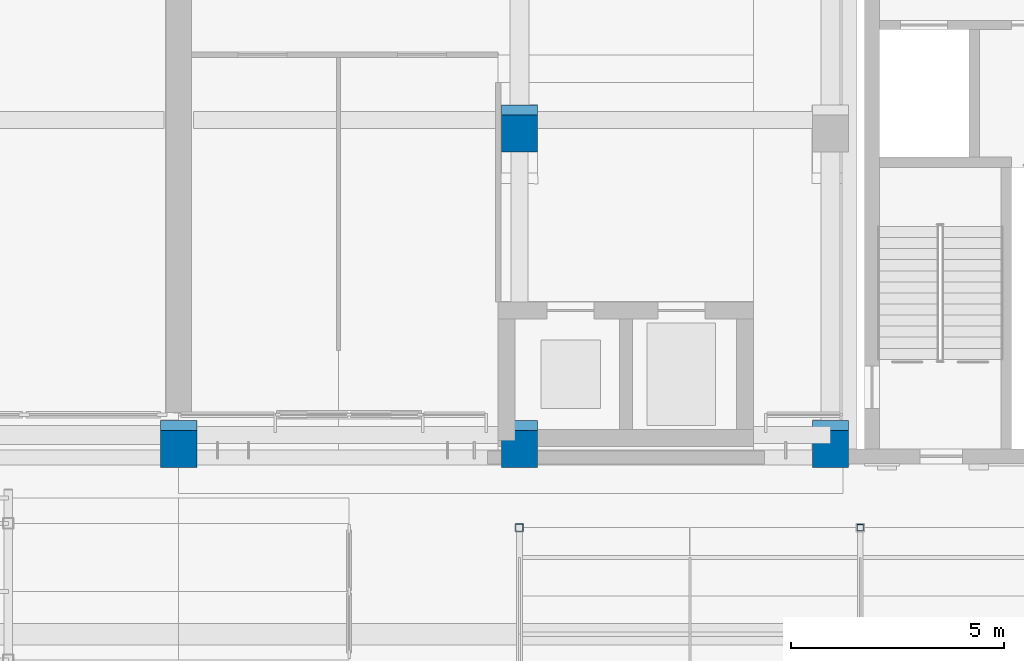
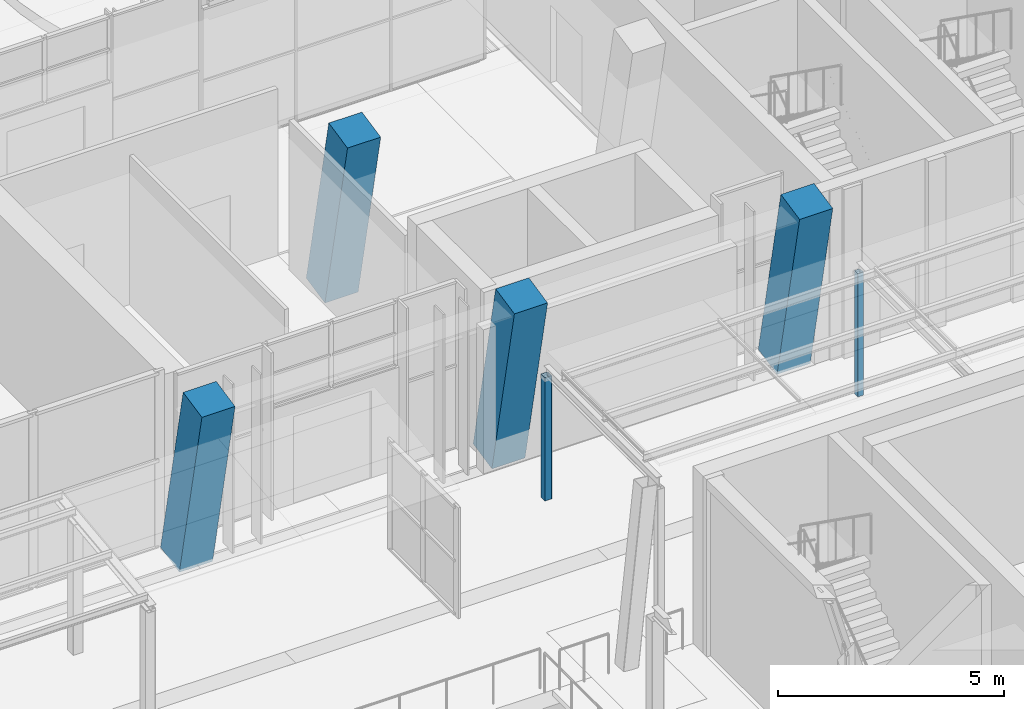
# One storey, part 17 of 144: 6 columns.
"""IFC4 building model written with IfcOpenShell, lengths in metres."""

from ifc_helpers import new_model, si_unit, direction, frame, origin, origin_2d, place, context, subcontext, project, spatial, rectangle, hollow_rectangle, extrude, material, material_profile, profile_set, type_object, element, save


model = new_model("IFC4")

# Units and contexts
model_context = context("Model", 3, precision=1e-05, world=origin(), true_north=direction((0.0, 1.0)))
body_context = subcontext(model_context, "Body", "Model", "MODEL_VIEW")
ifc_project = project(units=[si_unit("LENGTHUNIT", "METRE"), si_unit("AREAUNIT", "SQUARE_METRE"), si_unit("VOLUMEUNIT", "CUBIC_METRE"), si_unit("PLANEANGLEUNIT", "RADIAN"), si_unit("MASSUNIT", "GRAM", prefix="KILO")], contexts=[model_context])

# Site, building, storey
site_placement = place(None, origin())
site = spatial("IfcSite", under=ifc_project, at=site_placement, CompositionType="ELEMENT")
building_placement = place(site_placement, origin())
building = spatial("IfcBuilding", under=site, at=building_placement, Name="Lantern Court Media Centre", CompositionType="ELEMENT")
storey_placement = place(building_placement, origin())
storey = spatial("IfcBuildingStorey", under=building, at=storey_placement, Name="L00", CompositionType="ELEMENT", Elevation=0.0)

# Columns
ifc_material_1 = material(Name="Steel S355J2 (EN 10025-2)", Category="steel")
ifc_material_profile_1 = material_profile(ifc_material_1, hollow_rectangle(XDim=0.179931640625, YDim=0.179931640625, WallThickness=0.008056640625, InnerFilletRadius=0.008056640625, OuterFilletRadius=0.011962890625, at=origin_2d()), Name="Cloister canopy end post SHS 180x8")
ifc_profile_set_1 = profile_set([ifc_material_profile_1], Name="Steel S355J2 (EN 10025-2)")
column_type_1 = type_object("IfcColumnType", Name="Cloister canopy end post SHS 180x8", PredefinedType="COLUMN", material=ifc_profile_set_1)
column_1_placement = place(storey_placement, frame((72.0, 46.5, 0.0), z_axis=(0.0, 0.0, 1.0), x_axis=(1.0, 0.0, 0.0)))
element("IfcColumn", 1, at=column_1_placement, inside=storey, type_object=column_type_1, Name="Cloister post 2-1-2", PredefinedType="COLUMN", context=body_context, shape_type="SweptSolid", body=[
    extrude(hollow_rectangle(XDim=0.179931640625, YDim=0.179931640625, WallThickness=0.008056640625, InnerFilletRadius=0.008056640625, OuterFilletRadius=0.011962890625, at=origin_2d()), origin(), (0.0, 0.0, 1.0), 3.330078125),
])
ifc_material_profile_2 = material_profile(ifc_material_1, hollow_rectangle(XDim=0.14990234375, YDim=0.14990234375, WallThickness=0.00634765625, InnerFilletRadius=0.00634765625, OuterFilletRadius=0.009521484375, at=origin_2d()), Name="Cloister canopy post SHS 150x6.3")
ifc_profile_set_2 = profile_set([ifc_material_profile_2], Name="Steel S355J2 (EN 10025-2)")
column_type_2 = type_object("IfcColumnType", Name="Cloister canopy post SHS 150x6.3", PredefinedType="COLUMN", material=ifc_profile_set_2)
column_2_placement = place(storey_placement, frame((80.0, 46.5, 0.0), z_axis=(0.0, 0.0, 1.0), x_axis=(1.0, 0.0, 0.0)))
element("IfcColumn", 2, at=column_2_placement, inside=storey, type_object=column_type_2, Name="Cloister post 2-2-2", PredefinedType="COLUMN", context=body_context, shape_type="SweptSolid", body=[
    extrude(hollow_rectangle(XDim=0.14990234375, YDim=0.14990234375, WallThickness=0.00634765625, InnerFilletRadius=0.00634765625, OuterFilletRadius=0.009521484375, at=origin_2d()), origin(), (0.0, 0.0, 1.0), 3.330078125),
])
ifc_material_2 = material(Name="Concrete C35", Category="concrete")
ifc_material_profile_3 = material_profile(ifc_material_2, rectangle(XDim=0.85009765625, YDim=0.85009765625, at=origin_2d()), Name="RC 850x850")
ifc_profile_set_3 = profile_set([ifc_material_profile_3], Name="Concrete C35")
column_type_3 = type_object("IfcColumnType", Name="RC COLUMN 850x850", PredefinedType="COLUMN", material=ifc_profile_set_3)
for number, where, z_axis, x_axis, name in (
    (3, (64.0, 48.60009765625, 0.0), (0.0, -0.203952265704, 0.978980833987), (1.0, 0.0, 0.0), "C-S-0-5-L00"),
    (4, (72.0, 48.60009765625, 0.0), (0.0, -0.203952265704, 0.978980833987), (1.0, 0.0, 0.0), "C-S-0-6-L00"),
    (5, (79.300048828125, 48.60009765625, 0.0), (0.0, -0.203952265704, 0.978980833987), (1.0, 0.0, 0.0), "C-S-0-7-L00"),
    (6, (72.0, 56.0, 0.0), (0.0, -0.203952265704, 0.978980833987), (1.0, 0.0, 0.0), "C-S-1-6-L00"),
):
    element("IfcColumn", number, at=place(storey_placement, frame(where, z_axis=z_axis, x_axis=x_axis)), inside=storey, type_object=column_type_3, Name=name, PredefinedType="COLUMN", context=body_context, shape_type="SweptSolid", body=[
        extrude(rectangle(XDim=0.85009765625, YDim=0.85009765625, at=origin_2d()), origin(), (0.0, 0.0, 1.0), 4.903076171875),
    ])

save(model, "model.ifc")
